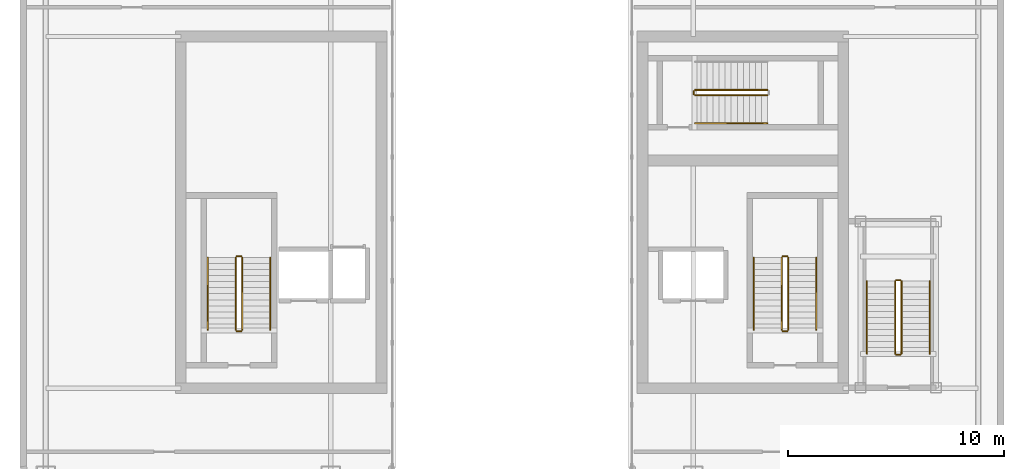
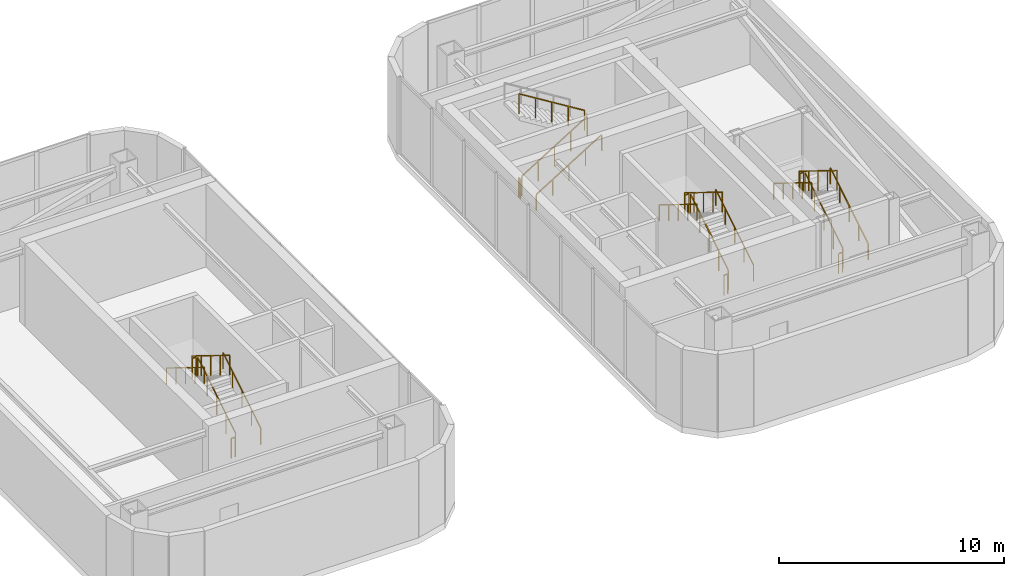
# One storey, part 13 of 14: 22 railings.
"""IFC4 building model written with IfcOpenShell, lengths in metres."""

from ifc_helpers import new_model, si_unit, direction, frame, origin, origin_2d, place, context, subcontext, project, spatial, rectangle, extrude, material, type_object, element, save


model = new_model("IFC4")

# Units and contexts
model_context = context("Model", 3, precision=1e-05, world=origin(), true_north=direction((0.0, 1.0)))
body_context = subcontext(model_context, "Body", "Model", "MODEL_VIEW")
ifc_project = project(units=[si_unit("LENGTHUNIT", "METRE"), si_unit("AREAUNIT", "SQUARE_METRE"), si_unit("VOLUMEUNIT", "CUBIC_METRE"), si_unit("PLANEANGLEUNIT", "RADIAN"), si_unit("MASSUNIT", "GRAM", prefix="KILO")], contexts=[model_context])

# Site, building, storey
site_placement = place(None, origin())
site = spatial("IfcSite", under=ifc_project, at=site_placement, CompositionType="ELEMENT")
building_placement = place(site_placement, origin())
building = spatial("IfcBuilding", under=site, at=building_placement, Name="Kiyonajd Concourse Tower", CompositionType="ELEMENT")
storey_placement = place(building_placement, frame((0.0, 0.0, 359.39990234375)))
storey = spatial("IfcBuildingStorey", under=building, at=storey_placement, Name="L90", CompositionType="ELEMENT", Elevation=359.39990234375)

# Railings
ifc_material_1 = material(Name="Steel ASTM A500 Grade C", Category="steel")
railing_type_1 = type_object("IfcRailingType", Name="RL-GRD-STR", PredefinedType="GUARDRAIL", material=ifc_material_1)
railing_1_placement = place(storey_placement, frame((35.5, 30.550048828125, 0.173095703125)))
element("IfcRailing", 1, at=railing_1_placement, inside=storey, type_object=railing_type_1, Name="L90 ST1 stair guard 1", PredefinedType="GUARDRAIL", context=body_context, shape_type="SweptSolid", body=[
    extrude(rectangle(XDim=0.048095703125, YDim=0.048095703125, at=origin_2d()), frame((0.0, 0.0, 1.076171875), z_axis=(0.0, 0.850606129759, 0.525803396734), x_axis=(-1.0, 0.0, 0.0)), (0.0, 0.0, 1.0), 3.949951171875),
    extrude(rectangle(XDim=0.0419921875, YDim=0.0419921875, at=origin_2d()), origin(), (0.0, 0.0, 1.0), 1.052001953125),
    extrude(rectangle(XDim=0.0419921875, YDim=0.0419921875, at=origin_2d()), frame((0.0, 0.83984375, 0.519287109375)), (0.0, 0.0, 1.0), 1.052001953125),
    extrude(rectangle(XDim=0.0419921875, YDim=0.0419921875, at=origin_2d()), frame((0.0, 1.679931640625, 1.03857421875)), (0.0, 0.0, 1.0), 1.052001953125),
    extrude(rectangle(XDim=0.0419921875, YDim=0.0419921875, at=origin_2d()), frame((0.0, 2.52001953125, 1.5576171875)), (0.0, 0.0, 1.0), 1.052001953125),
    extrude(rectangle(XDim=0.0419921875, YDim=0.0419921875, at=origin_2d()), frame((0.0, 3.35986328125, 2.076904296875)), (0.0, 0.0, 1.0), 1.052001953125),
])
railing_2_placement = place(storey_placement, frame((35.449951171875, 33.9599609375, 2.25)))
element("IfcRailing", 2, at=railing_2_placement, inside=storey, type_object=railing_type_1, Name="L90 ST1 stair guard 2", PredefinedType="GUARDRAIL", context=body_context, shape_type="SweptSolid", body=[
    extrude(rectangle(XDim=0.048095703125, YDim=0.048095703125, at=origin_2d()), frame((0.0, 0.0, 1.076171875), z_axis=(-1.0, 0.0, 0.0), x_axis=(0.0, -1.0, 0.0)), (0.0, 0.0, 1.0), 0.199951171875),
    extrude(rectangle(XDim=0.0419921875, YDim=0.0419921875, at=origin_2d()), origin(), (0.0, 0.0, 1.0), 1.052001953125),
    extrude(rectangle(XDim=0.0419921875, YDim=0.0419921875, at=origin_2d()), frame((-0.199951171875, 0.0, 0.0)), (0.0, 0.0, 1.0), 1.052001953125),
])
railing_3_placement = place(storey_placement, frame((35.199951171875, 33.909912109375, 2.423095703125)))
element("IfcRailing", 3, at=railing_3_placement, inside=storey, type_object=railing_type_1, Name="L90 ST1 stair guard 3", PredefinedType="GUARDRAIL", context=body_context, shape_type="SweptSolid", body=[
    extrude(rectangle(XDim=0.048095703125, YDim=0.048095703125, at=origin_2d()), frame((0.0, 0.0, 1.076171875), z_axis=(0.0, -0.850606129759, 0.525803396734), x_axis=(1.0, 0.0, 0.0)), (0.0, 0.0, 1.0), 3.949951171875),
    extrude(rectangle(XDim=0.0419921875, YDim=0.0419921875, at=origin_2d()), origin(), (0.0, 0.0, 1.0), 1.052001953125),
    extrude(rectangle(XDim=0.0419921875, YDim=0.0419921875, at=origin_2d()), frame((0.0, -0.83984375, 0.519287109375)), (0.0, 0.0, 1.0), 1.052001953125),
    extrude(rectangle(XDim=0.0419921875, YDim=0.0419921875, at=origin_2d()), frame((0.0, -1.679931640625, 1.03857421875)), (0.0, 0.0, 1.0), 1.052001953125),
    extrude(rectangle(XDim=0.0419921875, YDim=0.0419921875, at=origin_2d()), frame((0.0, -2.52001953125, 1.5576171875)), (0.0, 0.0, 1.0), 1.052001953125),
    extrude(rectangle(XDim=0.0419921875, YDim=0.0419921875, at=origin_2d()), frame((0.0, -3.35986328125, 2.076904296875)), (0.0, 0.0, 1.0), 1.052001953125),
])
railing_4_placement = place(storey_placement, frame((35.449951171875, 30.5, 0.0)))
element("IfcRailing", 4, at=railing_4_placement, inside=storey, type_object=railing_type_1, Name="L90 ST1 stair guard 4", PredefinedType="GUARDRAIL", context=body_context, shape_type="SweptSolid", body=[
    extrude(rectangle(XDim=0.048095703125, YDim=0.048095703125, at=origin_2d()), frame((0.0, 0.0, 1.076171875), z_axis=(-1.0, 0.0, 0.0), x_axis=(0.0, -1.0, 0.0)), (0.0, 0.0, 1.0), 0.199951171875),
    extrude(rectangle(XDim=0.0419921875, YDim=0.0419921875, at=origin_2d()), origin(), (0.0, 0.0, 1.0), 1.052001953125),
    extrude(rectangle(XDim=0.0419921875, YDim=0.0419921875, at=origin_2d()), frame((-0.199951171875, 0.0, 0.0)), (0.0, 0.0, 1.0), 1.052001953125),
])
railing_5_placement = place(storey_placement, frame((60.800048828125, 30.550048828125, 0.173095703125)))
element("IfcRailing", 5, at=railing_5_placement, inside=storey, type_object=railing_type_1, Name="L90 ST2 stair guard 1", PredefinedType="GUARDRAIL", context=body_context, shape_type="SweptSolid", body=[
    extrude(rectangle(XDim=0.048095703125, YDim=0.048095703125, at=origin_2d()), frame((0.0, 0.0, 1.076171875), z_axis=(0.0, 0.850606129759, 0.525803396734), x_axis=(-1.0, 0.0, 0.0)), (0.0, 0.0, 1.0), 3.949951171875),
    extrude(rectangle(XDim=0.0419921875, YDim=0.0419921875, at=origin_2d()), origin(), (0.0, 0.0, 1.0), 1.052001953125),
    extrude(rectangle(XDim=0.0419921875, YDim=0.0419921875, at=origin_2d()), frame((0.0, 0.83984375, 0.519287109375)), (0.0, 0.0, 1.0), 1.052001953125),
    extrude(rectangle(XDim=0.0419921875, YDim=0.0419921875, at=origin_2d()), frame((0.0, 1.679931640625, 1.03857421875)), (0.0, 0.0, 1.0), 1.052001953125),
    extrude(rectangle(XDim=0.0419921875, YDim=0.0419921875, at=origin_2d()), frame((0.0, 2.52001953125, 1.5576171875)), (0.0, 0.0, 1.0), 1.052001953125),
    extrude(rectangle(XDim=0.0419921875, YDim=0.0419921875, at=origin_2d()), frame((0.0, 3.35986328125, 2.076904296875)), (0.0, 0.0, 1.0), 1.052001953125),
])
railing_6_placement = place(storey_placement, frame((60.75, 33.9599609375, 2.25)))
element("IfcRailing", 6, at=railing_6_placement, inside=storey, type_object=railing_type_1, Name="L90 ST2 stair guard 2", PredefinedType="GUARDRAIL", context=body_context, shape_type="SweptSolid", body=[
    extrude(rectangle(XDim=0.048095703125, YDim=0.048095703125, at=origin_2d()), frame((0.0, 0.0, 1.076171875), z_axis=(-1.0, 0.0, 0.0), x_axis=(0.0, -1.0, 0.0)), (0.0, 0.0, 1.0), 0.199951171875),
    extrude(rectangle(XDim=0.0419921875, YDim=0.0419921875, at=origin_2d()), origin(), (0.0, 0.0, 1.0), 1.052001953125),
    extrude(rectangle(XDim=0.0419921875, YDim=0.0419921875, at=origin_2d()), frame((-0.199951171875, 0.0, 0.0)), (0.0, 0.0, 1.0), 1.052001953125),
])
railing_7_placement = place(storey_placement, frame((60.5, 33.909912109375, 2.423095703125)))
element("IfcRailing", 7, at=railing_7_placement, inside=storey, type_object=railing_type_1, Name="L90 ST2 stair guard 3", PredefinedType="GUARDRAIL", context=body_context, shape_type="SweptSolid", body=[
    extrude(rectangle(XDim=0.048095703125, YDim=0.048095703125, at=origin_2d()), frame((0.0, 0.0, 1.076171875), z_axis=(0.0, -0.850606129759, 0.525803396734), x_axis=(1.0, 0.0, 0.0)), (0.0, 0.0, 1.0), 3.949951171875),
    extrude(rectangle(XDim=0.0419921875, YDim=0.0419921875, at=origin_2d()), origin(), (0.0, 0.0, 1.0), 1.052001953125),
    extrude(rectangle(XDim=0.0419921875, YDim=0.0419921875, at=origin_2d()), frame((0.0, -0.83984375, 0.519287109375)), (0.0, 0.0, 1.0), 1.052001953125),
    extrude(rectangle(XDim=0.0419921875, YDim=0.0419921875, at=origin_2d()), frame((0.0, -1.679931640625, 1.03857421875)), (0.0, 0.0, 1.0), 1.052001953125),
    extrude(rectangle(XDim=0.0419921875, YDim=0.0419921875, at=origin_2d()), frame((0.0, -2.52001953125, 1.5576171875)), (0.0, 0.0, 1.0), 1.052001953125),
    extrude(rectangle(XDim=0.0419921875, YDim=0.0419921875, at=origin_2d()), frame((0.0, -3.35986328125, 2.076904296875)), (0.0, 0.0, 1.0), 1.052001953125),
])
railing_8_placement = place(storey_placement, frame((60.75, 30.5, 0.0)))
element("IfcRailing", 8, at=railing_8_placement, inside=storey, type_object=railing_type_1, Name="L90 ST2 stair guard 4", PredefinedType="GUARDRAIL", context=body_context, shape_type="SweptSolid", body=[
    extrude(rectangle(XDim=0.048095703125, YDim=0.048095703125, at=origin_2d()), frame((0.0, 0.0, 1.076171875), z_axis=(-1.0, 0.0, 0.0), x_axis=(0.0, -1.0, 0.0)), (0.0, 0.0, 1.0), 0.199951171875),
    extrude(rectangle(XDim=0.0419921875, YDim=0.0419921875, at=origin_2d()), origin(), (0.0, 0.0, 1.0), 1.052001953125),
    extrude(rectangle(XDim=0.0419921875, YDim=0.0419921875, at=origin_2d()), frame((-0.199951171875, 0.0, 0.0)), (0.0, 0.0, 1.0), 1.052001953125),
])
railing_9_placement = place(storey_placement, frame((56.47998046875, 41.429931640625, 0.173095703125)))
element("IfcRailing", 9, at=railing_9_placement, inside=storey, type_object=railing_type_1, Name="L90 ST3 stair guard 1", PredefinedType="GUARDRAIL", context=body_context, shape_type="SweptSolid", body=[
    extrude(rectangle(XDim=0.048095703125, YDim=0.048095703125, at=origin_2d()), frame((0.0, 0.0, 1.076171875), z_axis=(0.850623216509, 0.0, 0.525775754039), x_axis=(0.0, 1.0, 0.0)), (0.0, 0.0, 1.0), 3.9501953125),
    extrude(rectangle(XDim=0.0419921875, YDim=0.0419921875, at=origin_2d()), origin(), (0.0, 0.0, 1.0), 1.052001953125),
    extrude(rectangle(XDim=0.0419921875, YDim=0.0419921875, at=origin_2d()), frame((0.840087890625, 0.0, 0.519287109375)), (0.0, 0.0, 1.0), 1.052001953125),
    extrude(rectangle(XDim=0.0419921875, YDim=0.0419921875, at=origin_2d()), frame((1.68017578125, 0.0, 1.03857421875)), (0.0, 0.0, 1.0), 1.052001953125),
    extrude(rectangle(XDim=0.0419921875, YDim=0.0419921875, at=origin_2d()), frame((2.52001953125, 0.0, 1.5576171875)), (0.0, 0.0, 1.0), 1.052001953125),
    extrude(rectangle(XDim=0.0419921875, YDim=0.0419921875, at=origin_2d()), frame((3.360107421875, 0.0, 2.076904296875)), (0.0, 0.0, 1.0), 1.052001953125),
])
railing_10_placement = place(storey_placement, frame((59.840087890625, 41.669921875, 2.423095703125)))
element("IfcRailing", 10, at=railing_10_placement, inside=storey, type_object=railing_type_1, Name="L90 ST3 stair guard 3", PredefinedType="GUARDRAIL", context=body_context, shape_type="SweptSolid", body=[
    extrude(rectangle(XDim=0.048095703125, YDim=0.048095703125, at=origin_2d()), frame((0.0, 0.0, 1.076171875), z_axis=(-0.850623216509, 0.0, 0.525775754039), x_axis=(0.0, -1.0, 0.0)), (0.0, 0.0, 1.0), 3.9501953125),
    extrude(rectangle(XDim=0.0419921875, YDim=0.0419921875, at=origin_2d()), origin(), (0.0, 0.0, 1.0), 1.052001953125),
    extrude(rectangle(XDim=0.0419921875, YDim=0.0419921875, at=origin_2d()), frame((-0.840087890625, 0.0, 0.519287109375)), (0.0, 0.0, 1.0), 1.052001953125),
    extrude(rectangle(XDim=0.0419921875, YDim=0.0419921875, at=origin_2d()), frame((-1.68017578125, 0.0, 1.03857421875)), (0.0, 0.0, 1.0), 1.052001953125),
    extrude(rectangle(XDim=0.0419921875, YDim=0.0419921875, at=origin_2d()), frame((-2.52001953125, 0.0, 1.5576171875)), (0.0, 0.0, 1.0), 1.052001953125),
    extrude(rectangle(XDim=0.0419921875, YDim=0.0419921875, at=origin_2d()), frame((-3.360107421875, 0.0, 2.076904296875)), (0.0, 0.0, 1.0), 1.052001953125),
])
railing_11_placement = place(storey_placement, frame((56.429931640625, 41.47998046875, 0.0)))
element("IfcRailing", 11, at=railing_11_placement, inside=storey, type_object=railing_type_1, Name="L90 ST3 stair guard 4", PredefinedType="GUARDRAIL", context=body_context, shape_type="SweptSolid", body=[
    extrude(rectangle(XDim=0.048095703125, YDim=0.048095703125, at=origin_2d()), frame((0.0, 0.0, 1.076171875), z_axis=(0.0, 1.0, 0.0), x_axis=(-1.0, 0.0, 0.0)), (0.0, 0.0, 1.0), 0.14013671875),
    extrude(rectangle(XDim=0.0419921875, YDim=0.0419921875, at=origin_2d()), origin(), (0.0, 0.0, 1.0), 1.052001953125),
    extrude(rectangle(XDim=0.0419921875, YDim=0.0419921875, at=origin_2d()), frame((0.0, 0.14013671875, 0.0)), (0.0, 0.0, 1.0), 1.052001953125),
])
railing_12_placement = place(storey_placement, frame((66.050048828125, 29.449951171875, 0.173095703125)))
element("IfcRailing", 12, at=railing_12_placement, inside=storey, type_object=railing_type_1, Name="L90 ST6 stair guard 1", PredefinedType="GUARDRAIL", context=body_context, shape_type="SweptSolid", body=[
    extrude(rectangle(XDim=0.048095703125, YDim=0.048095703125, at=origin_2d()), frame((0.0, 0.0, 1.076171875), z_axis=(0.0, 0.850623216509, 0.525775754039), x_axis=(-1.0, 0.0, 0.0)), (0.0, 0.0, 1.0), 3.9501953125),
    extrude(rectangle(XDim=0.0419921875, YDim=0.0419921875, at=origin_2d()), origin(), (0.0, 0.0, 1.0), 1.052001953125),
    extrude(rectangle(XDim=0.0419921875, YDim=0.0419921875, at=origin_2d()), frame((0.0, 0.840087890625, 0.519287109375)), (0.0, 0.0, 1.0), 1.052001953125),
    extrude(rectangle(XDim=0.0419921875, YDim=0.0419921875, at=origin_2d()), frame((0.0, 1.68017578125, 1.03857421875)), (0.0, 0.0, 1.0), 1.052001953125),
    extrude(rectangle(XDim=0.0419921875, YDim=0.0419921875, at=origin_2d()), frame((0.0, 2.52001953125, 1.5576171875)), (0.0, 0.0, 1.0), 1.052001953125),
    extrude(rectangle(XDim=0.0419921875, YDim=0.0419921875, at=origin_2d()), frame((0.0, 3.360107421875, 2.076904296875)), (0.0, 0.0, 1.0), 1.052001953125),
])
railing_13_placement = place(storey_placement, frame((66.0, 32.860107421875, 2.25)))
element("IfcRailing", 13, at=railing_13_placement, inside=storey, type_object=railing_type_1, Name="L90 ST6 stair guard 2", PredefinedType="GUARDRAIL", context=body_context, shape_type="SweptSolid", body=[
    extrude(rectangle(XDim=0.048095703125, YDim=0.048095703125, at=origin_2d()), frame((0.0, 0.0, 1.076171875), z_axis=(-1.0, 0.0, 0.0), x_axis=(0.0, -1.0, 0.0)), (0.0, 0.0, 1.0), 0.199951171875),
    extrude(rectangle(XDim=0.0419921875, YDim=0.0419921875, at=origin_2d()), origin(), (0.0, 0.0, 1.0), 1.052001953125),
    extrude(rectangle(XDim=0.0419921875, YDim=0.0419921875, at=origin_2d()), frame((-0.199951171875, 0.0, 0.0)), (0.0, 0.0, 1.0), 1.052001953125),
])
railing_14_placement = place(storey_placement, frame((65.75, 32.81005859375, 2.423095703125)))
element("IfcRailing", 14, at=railing_14_placement, inside=storey, type_object=railing_type_1, Name="L90 ST6 stair guard 3", PredefinedType="GUARDRAIL", context=body_context, shape_type="SweptSolid", body=[
    extrude(rectangle(XDim=0.048095703125, YDim=0.048095703125, at=origin_2d()), frame((0.0, 0.0, 1.076171875), z_axis=(0.0, -0.850623216509, 0.525775754039), x_axis=(1.0, 0.0, 0.0)), (0.0, 0.0, 1.0), 3.9501953125),
    extrude(rectangle(XDim=0.0419921875, YDim=0.0419921875, at=origin_2d()), origin(), (0.0, 0.0, 1.0), 1.052001953125),
    extrude(rectangle(XDim=0.0419921875, YDim=0.0419921875, at=origin_2d()), frame((0.0, -0.840087890625, 0.519287109375)), (0.0, 0.0, 1.0), 1.052001953125),
    extrude(rectangle(XDim=0.0419921875, YDim=0.0419921875, at=origin_2d()), frame((0.0, -1.68017578125, 1.03857421875)), (0.0, 0.0, 1.0), 1.052001953125),
    extrude(rectangle(XDim=0.0419921875, YDim=0.0419921875, at=origin_2d()), frame((0.0, -2.52001953125, 1.5576171875)), (0.0, 0.0, 1.0), 1.052001953125),
    extrude(rectangle(XDim=0.0419921875, YDim=0.0419921875, at=origin_2d()), frame((0.0, -3.360107421875, 2.076904296875)), (0.0, 0.0, 1.0), 1.052001953125),
])
railing_15_placement = place(storey_placement, frame((66.0, 29.39990234375, 0.0)))
element("IfcRailing", 15, at=railing_15_placement, inside=storey, type_object=railing_type_1, Name="L90 ST6 stair guard 4", PredefinedType="GUARDRAIL", context=body_context, shape_type="SweptSolid", body=[
    extrude(rectangle(XDim=0.048095703125, YDim=0.048095703125, at=origin_2d()), frame((0.0, 0.0, 1.076171875), z_axis=(-1.0, 0.0, 0.0), x_axis=(0.0, -1.0, 0.0)), (0.0, 0.0, 1.0), 0.199951171875),
    extrude(rectangle(XDim=0.0419921875, YDim=0.0419921875, at=origin_2d()), origin(), (0.0, 0.0, 1.0), 1.052001953125),
    extrude(rectangle(XDim=0.0419921875, YDim=0.0419921875, at=origin_2d()), frame((-0.199951171875, 0.0, 0.0)), (0.0, 0.0, 1.0), 1.052001953125),
])
ifc_material_2 = material(Name="Brushed Stainless Steel Cab Assembly", Category="steel")
railing_type_2 = type_object("IfcRailingType", Name="RL-HND-900", PredefinedType="HANDRAIL", material=ifc_material_2)
railing_16_placement = place(storey_placement, frame((36.800048828125, 30.550048828125, 0.173095703125)))
element("IfcRailing", 16, at=railing_16_placement, inside=storey, type_object=railing_type_2, Name="L90 ST1 stair handrail 1", PredefinedType="HANDRAIL", context=body_context, shape_type="SweptSolid", body=[
    extrude(rectangle(XDim=0.048095703125, YDim=0.048095703125, at=origin_2d()), frame((0.0, 0.0, 0.8759765625), z_axis=(0.0, 0.850606129759, 0.525803396734), x_axis=(-1.0, 0.0, 0.0)), (0.0, 0.0, 1.0), 3.949951171875),
    extrude(rectangle(XDim=0.0419921875, YDim=0.0419921875, at=origin_2d()), origin(), (0.0, 0.0, 1.0), 0.851806640625),
    extrude(rectangle(XDim=0.0419921875, YDim=0.0419921875, at=origin_2d()), frame((0.0, 0.83984375, 0.519287109375)), (0.0, 0.0, 1.0), 0.851806640625),
    extrude(rectangle(XDim=0.0419921875, YDim=0.0419921875, at=origin_2d()), frame((0.0, 1.679931640625, 1.03857421875)), (0.0, 0.0, 1.0), 0.851806640625),
    extrude(rectangle(XDim=0.0419921875, YDim=0.0419921875, at=origin_2d()), frame((0.0, 2.52001953125, 1.5576171875)), (0.0, 0.0, 1.0), 0.851806640625),
    extrude(rectangle(XDim=0.0419921875, YDim=0.0419921875, at=origin_2d()), frame((0.0, 3.35986328125, 2.076904296875)), (0.0, 0.0, 1.0), 0.851806640625),
])
railing_17_placement = place(storey_placement, frame((33.89990234375, 33.909912109375, 2.423095703125)))
element("IfcRailing", 17, at=railing_17_placement, inside=storey, type_object=railing_type_2, Name="L90 ST1 stair handrail 2", PredefinedType="HANDRAIL", context=body_context, shape_type="SweptSolid", body=[
    extrude(rectangle(XDim=0.048095703125, YDim=0.048095703125, at=origin_2d()), frame((0.0, 0.0, 0.8759765625), z_axis=(0.0, -0.850606129759, 0.525803396734), x_axis=(1.0, 0.0, 0.0)), (0.0, 0.0, 1.0), 3.949951171875),
    extrude(rectangle(XDim=0.0419921875, YDim=0.0419921875, at=origin_2d()), origin(), (0.0, 0.0, 1.0), 0.851806640625),
    extrude(rectangle(XDim=0.0419921875, YDim=0.0419921875, at=origin_2d()), frame((0.0, -0.83984375, 0.519287109375)), (0.0, 0.0, 1.0), 0.851806640625),
    extrude(rectangle(XDim=0.0419921875, YDim=0.0419921875, at=origin_2d()), frame((0.0, -1.679931640625, 1.03857421875)), (0.0, 0.0, 1.0), 0.851806640625),
    extrude(rectangle(XDim=0.0419921875, YDim=0.0419921875, at=origin_2d()), frame((0.0, -2.52001953125, 1.5576171875)), (0.0, 0.0, 1.0), 0.851806640625),
    extrude(rectangle(XDim=0.0419921875, YDim=0.0419921875, at=origin_2d()), frame((0.0, -3.35986328125, 2.076904296875)), (0.0, 0.0, 1.0), 0.851806640625),
])
railing_18_placement = place(storey_placement, frame((62.10009765625, 30.550048828125, 0.173095703125)))
element("IfcRailing", 18, at=railing_18_placement, inside=storey, type_object=railing_type_2, Name="L90 ST2 stair handrail 1", PredefinedType="HANDRAIL", context=body_context, shape_type="SweptSolid", body=[
    extrude(rectangle(XDim=0.048095703125, YDim=0.048095703125, at=origin_2d()), frame((0.0, 0.0, 0.8759765625), z_axis=(0.0, 0.850606129759, 0.525803396734), x_axis=(-1.0, 0.0, 0.0)), (0.0, 0.0, 1.0), 3.949951171875),
    extrude(rectangle(XDim=0.0419921875, YDim=0.0419921875, at=origin_2d()), origin(), (0.0, 0.0, 1.0), 0.851806640625),
    extrude(rectangle(XDim=0.0419921875, YDim=0.0419921875, at=origin_2d()), frame((0.0, 0.83984375, 0.519287109375)), (0.0, 0.0, 1.0), 0.851806640625),
    extrude(rectangle(XDim=0.0419921875, YDim=0.0419921875, at=origin_2d()), frame((0.0, 1.679931640625, 1.03857421875)), (0.0, 0.0, 1.0), 0.851806640625),
    extrude(rectangle(XDim=0.0419921875, YDim=0.0419921875, at=origin_2d()), frame((0.0, 2.52001953125, 1.5576171875)), (0.0, 0.0, 1.0), 0.851806640625),
    extrude(rectangle(XDim=0.0419921875, YDim=0.0419921875, at=origin_2d()), frame((0.0, 3.35986328125, 2.076904296875)), (0.0, 0.0, 1.0), 0.851806640625),
])
railing_19_placement = place(storey_placement, frame((59.199951171875, 33.909912109375, 2.423095703125)))
element("IfcRailing", 19, at=railing_19_placement, inside=storey, type_object=railing_type_2, Name="L90 ST2 stair handrail 2", PredefinedType="HANDRAIL", context=body_context, shape_type="SweptSolid", body=[
    extrude(rectangle(XDim=0.048095703125, YDim=0.048095703125, at=origin_2d()), frame((0.0, 0.0, 0.8759765625), z_axis=(0.0, -0.850606129759, 0.525803396734), x_axis=(1.0, 0.0, 0.0)), (0.0, 0.0, 1.0), 3.949951171875),
    extrude(rectangle(XDim=0.0419921875, YDim=0.0419921875, at=origin_2d()), origin(), (0.0, 0.0, 1.0), 0.851806640625),
    extrude(rectangle(XDim=0.0419921875, YDim=0.0419921875, at=origin_2d()), frame((0.0, -0.83984375, 0.519287109375)), (0.0, 0.0, 1.0), 0.851806640625),
    extrude(rectangle(XDim=0.0419921875, YDim=0.0419921875, at=origin_2d()), frame((0.0, -1.679931640625, 1.03857421875)), (0.0, 0.0, 1.0), 0.851806640625),
    extrude(rectangle(XDim=0.0419921875, YDim=0.0419921875, at=origin_2d()), frame((0.0, -2.52001953125, 1.5576171875)), (0.0, 0.0, 1.0), 0.851806640625),
    extrude(rectangle(XDim=0.0419921875, YDim=0.0419921875, at=origin_2d()), frame((0.0, -3.35986328125, 2.076904296875)), (0.0, 0.0, 1.0), 0.851806640625),
])
railing_20_placement = place(storey_placement, frame((56.47998046875, 40.1298828125, 0.173095703125)))
element("IfcRailing", 20, at=railing_20_placement, inside=storey, type_object=railing_type_2, Name="L90 ST3 stair handrail 1", PredefinedType="HANDRAIL", context=body_context, shape_type="SweptSolid", body=[
    extrude(rectangle(XDim=0.048095703125, YDim=0.048095703125, at=origin_2d()), frame((0.0, 0.0, 0.8759765625), z_axis=(0.850623216509, 0.0, 0.525775754039), x_axis=(0.0, 1.0, 0.0)), (0.0, 0.0, 1.0), 3.9501953125),
    extrude(rectangle(XDim=0.0419921875, YDim=0.0419921875, at=origin_2d()), origin(), (0.0, 0.0, 1.0), 0.851806640625),
    extrude(rectangle(XDim=0.0419921875, YDim=0.0419921875, at=origin_2d()), frame((0.840087890625, 0.0, 0.519287109375)), (0.0, 0.0, 1.0), 0.851806640625),
    extrude(rectangle(XDim=0.0419921875, YDim=0.0419921875, at=origin_2d()), frame((1.68017578125, 0.0, 1.03857421875)), (0.0, 0.0, 1.0), 0.851806640625),
    extrude(rectangle(XDim=0.0419921875, YDim=0.0419921875, at=origin_2d()), frame((2.52001953125, 0.0, 1.5576171875)), (0.0, 0.0, 1.0), 0.851806640625),
    extrude(rectangle(XDim=0.0419921875, YDim=0.0419921875, at=origin_2d()), frame((3.360107421875, 0.0, 2.076904296875)), (0.0, 0.0, 1.0), 0.851806640625),
])
railing_21_placement = place(storey_placement, frame((67.35009765625, 29.449951171875, 0.173095703125)))
element("IfcRailing", 21, at=railing_21_placement, inside=storey, type_object=railing_type_2, Name="L90 ST6 stair handrail 1", PredefinedType="HANDRAIL", context=body_context, shape_type="SweptSolid", body=[
    extrude(rectangle(XDim=0.048095703125, YDim=0.048095703125, at=origin_2d()), frame((0.0, 0.0, 0.8759765625), z_axis=(0.0, 0.850623216509, 0.525775754039), x_axis=(-1.0, 0.0, 0.0)), (0.0, 0.0, 1.0), 3.9501953125),
    extrude(rectangle(XDim=0.0419921875, YDim=0.0419921875, at=origin_2d()), origin(), (0.0, 0.0, 1.0), 0.851806640625),
    extrude(rectangle(XDim=0.0419921875, YDim=0.0419921875, at=origin_2d()), frame((0.0, 0.840087890625, 0.519287109375)), (0.0, 0.0, 1.0), 0.851806640625),
    extrude(rectangle(XDim=0.0419921875, YDim=0.0419921875, at=origin_2d()), frame((0.0, 1.68017578125, 1.03857421875)), (0.0, 0.0, 1.0), 0.851806640625),
    extrude(rectangle(XDim=0.0419921875, YDim=0.0419921875, at=origin_2d()), frame((0.0, 2.52001953125, 1.5576171875)), (0.0, 0.0, 1.0), 0.851806640625),
    extrude(rectangle(XDim=0.0419921875, YDim=0.0419921875, at=origin_2d()), frame((0.0, 3.360107421875, 2.076904296875)), (0.0, 0.0, 1.0), 0.851806640625),
])
railing_22_placement = place(storey_placement, frame((64.449951171875, 32.81005859375, 2.423095703125)))
element("IfcRailing", 22, at=railing_22_placement, inside=storey, type_object=railing_type_2, Name="L90 ST6 stair handrail 2", PredefinedType="HANDRAIL", context=body_context, shape_type="SweptSolid", body=[
    extrude(rectangle(XDim=0.048095703125, YDim=0.048095703125, at=origin_2d()), frame((0.0, 0.0, 0.8759765625), z_axis=(0.0, -0.850623216509, 0.525775754039), x_axis=(1.0, 0.0, 0.0)), (0.0, 0.0, 1.0), 3.9501953125),
    extrude(rectangle(XDim=0.0419921875, YDim=0.0419921875, at=origin_2d()), origin(), (0.0, 0.0, 1.0), 0.851806640625),
    extrude(rectangle(XDim=0.0419921875, YDim=0.0419921875, at=origin_2d()), frame((0.0, -0.840087890625, 0.519287109375)), (0.0, 0.0, 1.0), 0.851806640625),
    extrude(rectangle(XDim=0.0419921875, YDim=0.0419921875, at=origin_2d()), frame((0.0, -1.68017578125, 1.03857421875)), (0.0, 0.0, 1.0), 0.851806640625),
    extrude(rectangle(XDim=0.0419921875, YDim=0.0419921875, at=origin_2d()), frame((0.0, -2.52001953125, 1.5576171875)), (0.0, 0.0, 1.0), 0.851806640625),
    extrude(rectangle(XDim=0.0419921875, YDim=0.0419921875, at=origin_2d()), frame((0.0, -3.360107421875, 2.076904296875)), (0.0, 0.0, 1.0), 0.851806640625),
])

save(model, "model.ifc")
